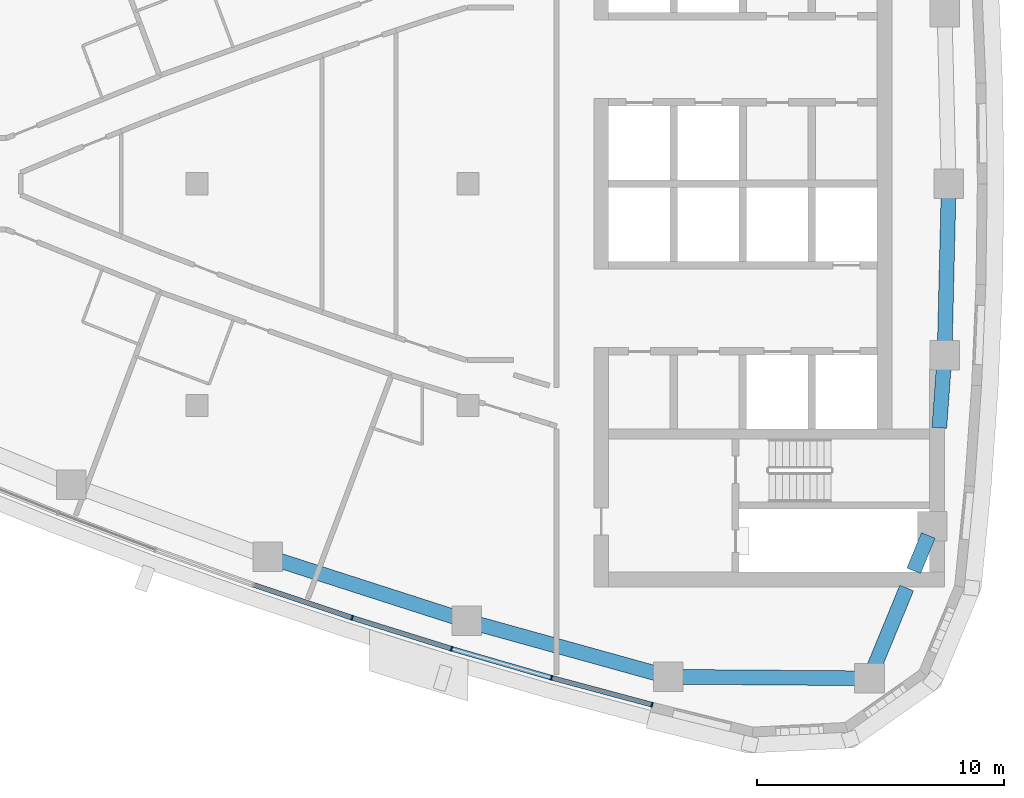
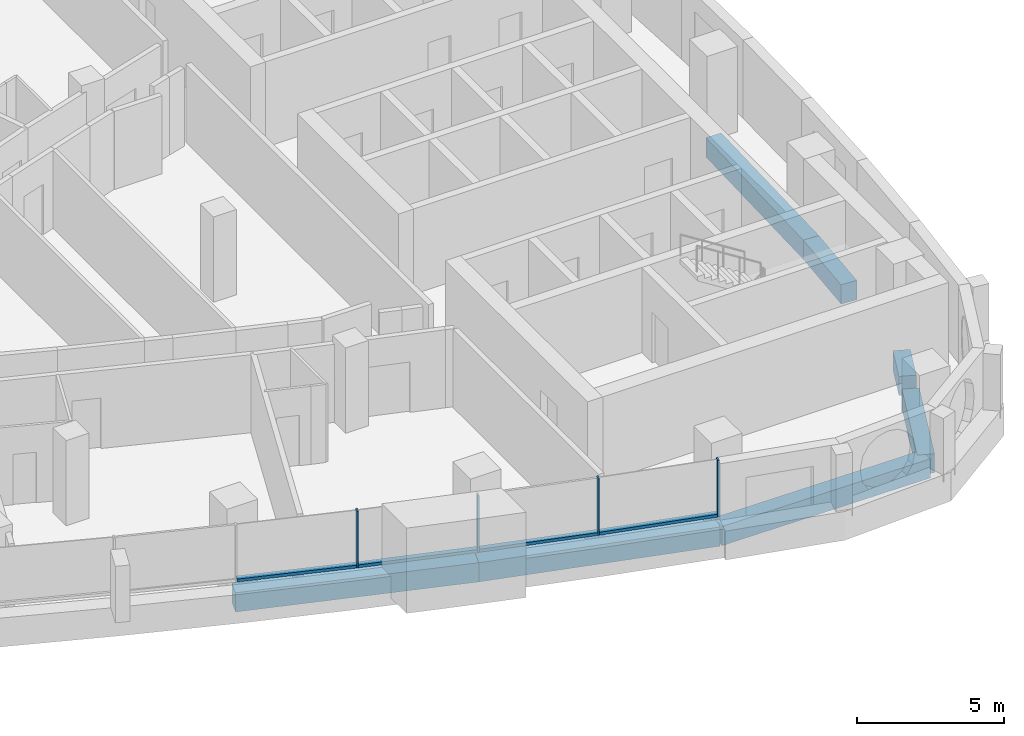
# One storey, part 4 of 16: 8 members, 7 beams, 2 elements without a shape of their own.
"""IFC4 building model written with IfcOpenShell, lengths in metres."""

from ifc_helpers import new_model, si_unit, direction, frame, origin, origin_2d, place, context, subcontext, project, spatial, rectangle, extrude, material, layer, layer_set, material_profile, profile_set, type_object, element, aggregate, save


model = new_model("IFC4")

# Units and contexts
model_context = context("Model", 3, precision=1e-05, world=origin(), true_north=direction((0.0, 1.0)))
body_context = subcontext(model_context, "Body", "Model", "MODEL_VIEW")
ifc_project = project(units=[si_unit("LENGTHUNIT", "METRE"), si_unit("AREAUNIT", "SQUARE_METRE"), si_unit("VOLUMEUNIT", "CUBIC_METRE"), si_unit("PLANEANGLEUNIT", "RADIAN"), si_unit("MASSUNIT", "GRAM", prefix="KILO")], contexts=[model_context])

# Site, building, storey
site_placement = place(None, origin())
site = spatial("IfcSite", under=ifc_project, at=site_placement, CompositionType="ELEMENT")
building_placement = place(site_placement, origin())
building = spatial("IfcBuilding", under=site, at=building_placement, Name="Ostrand Prow Hotel Tower", CompositionType="ELEMENT")
storey_placement = place(building_placement, frame((0.0, 0.0, 227.89990234375)))
storey = spatial("IfcBuildingStorey", under=building, at=storey_placement, Name="L57", CompositionType="ELEMENT", Elevation=227.89990234375)

# Beams
ifc_material_1 = material(Name="Concrete C50/60", Category="concrete")
ifc_material_profile_1 = material_profile(ifc_material_1, rectangle(XDim=0.60009765625, YDim=0.800048828125, at=origin_2d()), Name="RC 600x800")
ifc_profile_set_1 = profile_set([ifc_material_profile_1], Name="Concrete C50/60")
beam_type = type_object("IfcBeamType", Name="Edge beam 600x800 C50/60", PredefinedType="SPANDREL", material=ifc_profile_set_1)
for number, where, z_axis, x_axis, name in (
    (1, (36.8671875, -15.131591796875, -0.699951171875), (0.95193933362, -0.306286638798, 0.0), (0.306286638798, 0.95193933362, 0.0), "Edge beam S4-S5"),
    (2, (44.94677734375, -17.731201171875, -0.699951171875), (0.963625802813, -0.267255144297, 0.0), (0.267255144297, 0.963625802813, 0.0), "Edge beam S5-S6"),
):
    element("IfcBeam", number, at=place(storey_placement, frame(where, z_axis=z_axis, x_axis=x_axis)), inside=storey, type_object=beam_type, Name=name, PredefinedType="SPANDREL", context=body_context, shape_type="SweptSolid", body=[
        extrude(rectangle(XDim=0.60009765625, YDim=0.800048828125, at=origin_2d()), origin(), (0.0, 0.0, 1.0), 8.487548828125),
    ])
beam_1_placement = place(storey_placement, frame((53.12548828125, -19.99951171875, -0.699951171875), z_axis=(0.999970657582, -0.007660546678, 0.0), x_axis=(0.007660546678, 0.999970657582, 0.0)))
element("IfcBeam", 3, at=beam_1_placement, inside=storey, type_object=beam_type, Name="Edge beam S6-SE", PredefinedType="SPANDREL", context=body_context, shape_type="SweptSolid", body=[
    extrude(rectangle(XDim=0.60009765625, YDim=0.800048828125, at=origin_2d()), origin(), (0.0, 0.0, 1.0), 8.15869140625),
])
beam_2_placement = place(storey_placement, frame((61.283935546875, -20.06201171875, -0.699951171875), z_axis=(0.380777709221, 0.924666608114, 0.0), x_axis=(-0.924666608114, 0.380777709221, 0.0)))
element("IfcBeam", 4, at=beam_2_placement, inside=storey, type_object=beam_type, Name="Edge beam SE-B1", PredefinedType="SPANDREL", context=body_context, shape_type="SweptSolid", body=[
    extrude(rectangle(XDim=0.60009765625, YDim=0.800048828125, at=origin_2d()), origin(), (0.0, 0.0, 1.0), 3.96044921875),
])
beam_3_placement = place(storey_placement, frame((63.080078125, -15.699951171875, -0.699951171875), z_axis=(0.380773585759, 0.924668306145, 0.0), x_axis=(-0.924668306145, 0.380773585759, 0.0)))
element("IfcBeam", 5, at=beam_3_placement, inside=storey, type_object=beam_type, Name="Edge beam SE-B1", PredefinedType="SPANDREL", context=body_context, shape_type="SweptSolid", body=[
    extrude(rectangle(XDim=0.60009765625, YDim=0.800048828125, at=origin_2d()), origin(), (0.0, 0.0, 1.0), 1.549072265625),
])
beam_4_placement = place(storey_placement, frame((64.11669921875, -9.89990234375, -0.699951171875), z_axis=(0.072691068771, 0.997354504938, 0.0), x_axis=(-0.997354504938, 0.072691068771, 0.0)))
element("IfcBeam", 6, at=beam_4_placement, inside=storey, type_object=beam_type, Name="Edge beam B1-B2", PredefinedType="SPANDREL", context=body_context, shape_type="SweptSolid", body=[
    extrude(rectangle(XDim=0.60009765625, YDim=0.800048828125, at=origin_2d()), origin(), (0.0, 0.0, 1.0), 2.95556640625),
])
beam_5_placement = place(storey_placement, frame((64.33154296875, -6.9521484375, -0.699951171875), z_axis=(0.024223820991, 0.999706560195, 0.0), x_axis=(-0.999706560195, 0.024223820991, 0.0)))
element("IfcBeam", 7, at=beam_5_placement, inside=storey, type_object=beam_type, Name="Edge beam B2-B3", PredefinedType="SPANDREL", context=body_context, shape_type="SweptSolid", body=[
    extrude(rectangle(XDim=0.60009765625, YDim=0.800048828125, at=origin_2d()), origin(), (0.0, 0.0, 1.0), 6.9541015625),
])

# Curtain wall, members
ifc_material_2 = material(Name="Insulated glass in bronze anodised frame", Category="glass")
ifc_layer = layer(ifc_material_2, 0.199951171875)
ifc_layer_set = layer_set([ifc_layer], Name="Insulated glass in bronze anodised frame")
curtain_wall_type = type_object("IfcCurtainWallType", Name="Strip curtain wall, fritted glass over bronze spandrel", PredefinedType="NOTDEFINED", material=ifc_layer_set)
curtain_wall_1_placement = place(storey_placement, origin())
curtain_wall_1 = element("IfcCurtainWall", 8, at=curtain_wall_1_placement, inside=storey, type_object=curtain_wall_type, Name="CW1 run CWS4", PredefinedType="NOTDEFINED")
ifc_material_3 = material(Name="Bronze anodised aluminium", Category="aluminium")
ifc_material_profile_2 = material_profile(ifc_material_3, rectangle(XDim=0.199951171875, YDim=0.06005859375, at=origin_2d()), Name="Mullion 60x200 bronze anodised aluminium")
ifc_profile_set_2 = profile_set([ifc_material_profile_2], Name="Bronze anodised aluminium")
member_type_1 = type_object("IfcMemberType", Name="Mullion 60x200 bronze anodised aluminium", PredefinedType="MULLION", material=ifc_profile_set_2)
member_1_placement = place(storey_placement, frame((40.297119140625, -17.605712890625, 0.900146484375), z_axis=(0.0, 0.0, 1.0), x_axis=(0.297678138765, 0.95466629023, 0.0)))
member_1 = element("IfcMember", 9, at=member_1_placement, type_object=member_type_1, Name="CW1 mullion 2", PredefinedType="MULLION", context=body_context, shape_type="SweptSolid", body=[
    extrude(rectangle(XDim=0.199951171875, YDim=0.06005859375, at=origin_2d()), origin(), (0.0, 0.0, 1.0), 2.349853515625),
])
member_2_placement = place(storey_placement, frame((44.3291015625, -18.863037109375, 0.900146484375), z_axis=(0.0, 0.0, 1.0), x_axis=(0.297678138765, 0.95466629023, 0.0)))
member_2 = element("IfcMember", 10, at=member_2_placement, type_object=member_type_1, Name="CW1 mullion 3", PredefinedType="MULLION", context=body_context, shape_type="SweptSolid", body=[
    extrude(rectangle(XDim=0.199951171875, YDim=0.06005859375, at=origin_2d()), origin(), (0.0, 0.0, 1.0), 2.349853515625),
])

curtain_wall_2_placement = place(storey_placement, origin())
curtain_wall_2 = element("IfcCurtainWall", 11, at=curtain_wall_2_placement, inside=storey, type_object=curtain_wall_type, Name="CW1 run CWS5", PredefinedType="NOTDEFINED")
member_3_placement = place(storey_placement, frame((48.385986328125, -20.038818359375, 0.900146484375), z_axis=(0.0, 0.0, 1.0), x_axis=(0.258994370132, 0.965878831034, 0.0)))
member_3 = element("IfcMember", 12, at=member_3_placement, type_object=member_type_1, Name="CW1 mullion 2", PredefinedType="MULLION", context=body_context, shape_type="SweptSolid", body=[
    extrude(rectangle(XDim=0.199951171875, YDim=0.06005859375, at=origin_2d()), origin(), (0.0, 0.0, 1.0), 2.349853515625),
])
member_4_placement = place(storey_placement, frame((52.465576171875, -21.1328125, 0.900146484375), z_axis=(0.0, 0.0, 1.0), x_axis=(0.258994370132, 0.965878831034, 0.0)))
member_4 = element("IfcMember", 13, at=member_4_placement, type_object=member_type_1, Name="CW1 mullion 3", PredefinedType="MULLION", context=body_context, shape_type="SweptSolid", body=[
    extrude(rectangle(XDim=0.199951171875, YDim=0.06005859375, at=origin_2d()), origin(), (0.0, 0.0, 1.0), 2.349853515625),
])

# Member
ifc_material_4 = material(Name="Bronze anodised aluminium", Category="aluminium")
ifc_material_profile_3 = material_profile(ifc_material_4, rectangle(XDim=0.199951171875, YDim=0.1201171875, at=origin_2d()), Name="Transom 120x200 bronze anodised aluminium")
ifc_profile_set_3 = profile_set([ifc_material_profile_3], Name="Bronze anodised aluminium")
member_type_2 = type_object("IfcMemberType", Name="Transom 120x200 bronze anodised aluminium", PredefinedType="USERDEFINED", material=ifc_profile_set_3)
member_5_placement = place(storey_placement, frame((36.3193359375, -16.277099609375, 0.960205078125), z_axis=(0.948489622939, -0.316808199353, 0.0), x_axis=(0.316808199353, 0.948489622939, 0.0)))
member_5 = element("IfcMember", 14, at=member_5_placement, type_object=member_type_2, Name="CW1 transom 1.1", ObjectType="TRANSOM", PredefinedType="USERDEFINED", context=body_context, shape_type="SweptSolid", body=[
    extrude(rectangle(XDim=0.199951171875, YDim=0.1201171875, at=origin_2d()), origin(), (0.0, 0.0, 1.0), 4.16357421875),
])

member_6_placement = place(storey_placement, frame((40.32568359375, -17.61474609375, 0.960205078125), z_axis=(0.954676966691, -0.297643896746, 0.0), x_axis=(0.297643896746, 0.954676966691, 0.0)))
member_6 = element("IfcMember", 15, at=member_6_placement, type_object=member_type_2, Name="CW1 transom 2.1", ObjectType="TRANSOM", PredefinedType="USERDEFINED", context=body_context, shape_type="SweptSolid", body=[
    extrude(rectangle(XDim=0.199951171875, YDim=0.1201171875, at=origin_2d()), origin(), (0.0, 0.0, 1.0), 4.16357421875),
])

aggregate(curtain_wall_1, [member_1, member_2, member_5, member_6])

member_7_placement = place(storey_placement, frame((44.35791015625, -18.871337890625, 0.960205078125), z_axis=(0.960468183791, -0.278389776976, 0.0), x_axis=(0.278389776976, 0.960468183791, 0.0)))
member_7 = element("IfcMember", 16, at=member_7_placement, type_object=member_type_2, Name="CW1 transom 1.1", ObjectType="TRANSOM", PredefinedType="USERDEFINED", context=body_context, shape_type="SweptSolid", body=[
    extrude(rectangle(XDim=0.199951171875, YDim=0.1201171875, at=origin_2d()), origin(), (0.0, 0.0, 1.0), 4.163818359375),
])

member_8_placement = place(storey_placement, frame((48.4150390625, -20.046630859375, 0.960205078125), z_axis=(0.96587683346, -0.259001819657, 0.0), x_axis=(0.259001819657, 0.96587683346, 0.0)))
member_8 = element("IfcMember", 17, at=member_8_placement, type_object=member_type_2, Name="CW1 transom 2.1", ObjectType="TRANSOM", PredefinedType="USERDEFINED", context=body_context, shape_type="SweptSolid", body=[
    extrude(rectangle(XDim=0.199951171875, YDim=0.1201171875, at=origin_2d()), origin(), (0.0, 0.0, 1.0), 4.16357421875),
])

aggregate(curtain_wall_2, [member_3, member_4, member_7, member_8])

save(model, "model.ifc")
